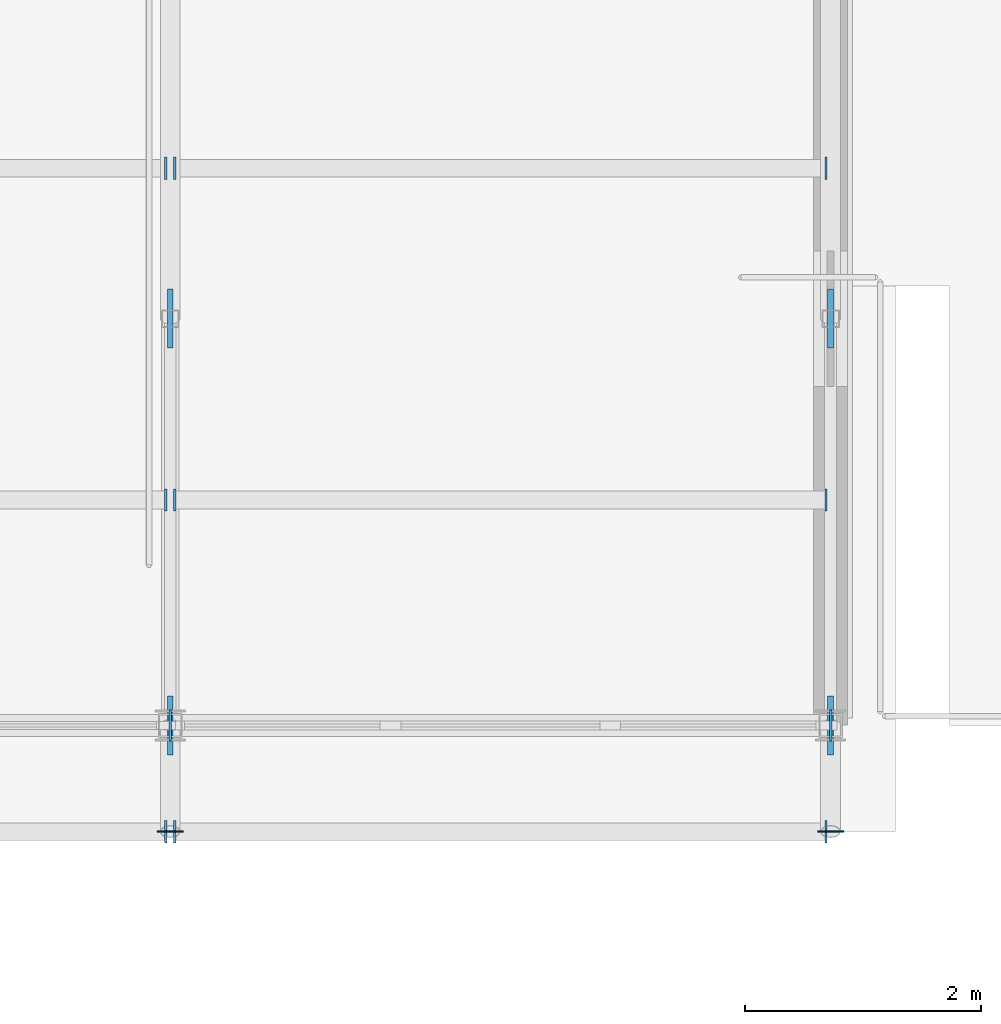
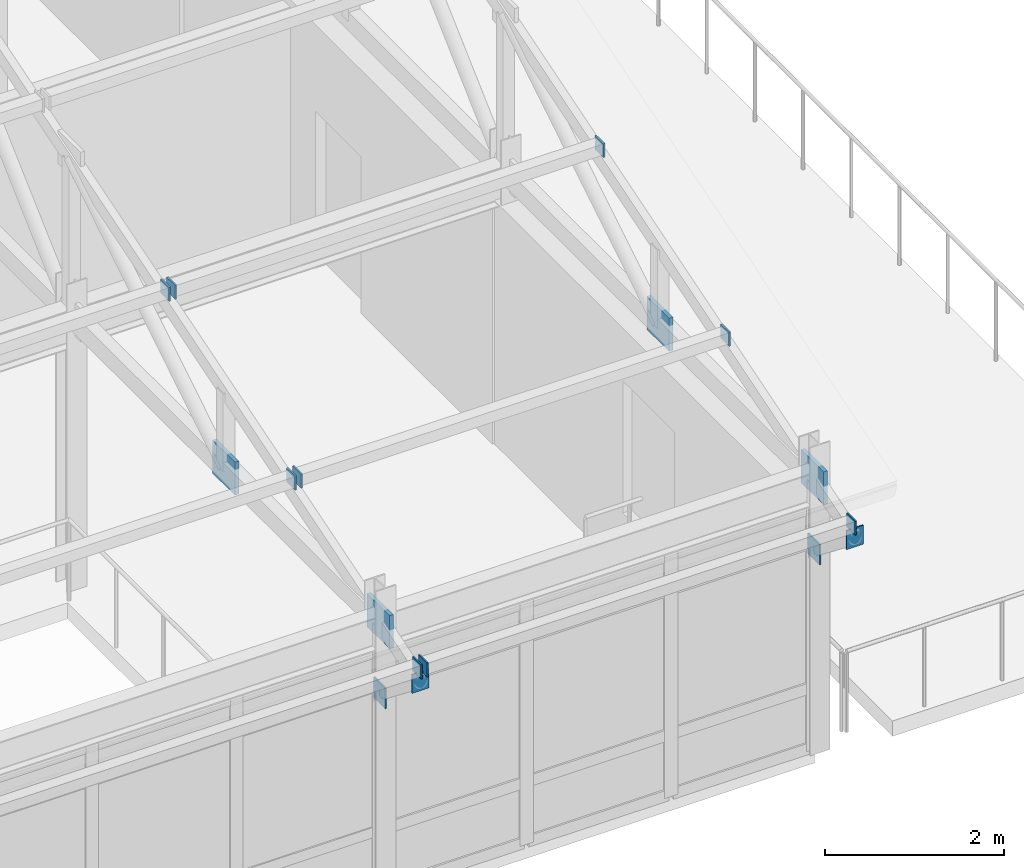
# One storey, part 119 of 144: 17 plates.
"""IFC4 building model written with IfcOpenShell, lengths in metres."""

from ifc_helpers import new_model, si_unit, direction, frame, origin, origin_2d, place, context, subcontext, project, spatial, rectangle, extrude, material, layer, layer_set, type_object, element, save


model = new_model("IFC4")

# Units and contexts
model_context = context("Model", 3, precision=1e-05, world=origin(), true_north=direction((0.0, 1.0)))
body_context = subcontext(model_context, "Body", "Model", "MODEL_VIEW")
ifc_project = project(units=[si_unit("LENGTHUNIT", "METRE"), si_unit("AREAUNIT", "SQUARE_METRE"), si_unit("VOLUMEUNIT", "CUBIC_METRE"), si_unit("PLANEANGLEUNIT", "RADIAN"), si_unit("MASSUNIT", "GRAM", prefix="KILO")], contexts=[model_context])

# Site, building, storey
site_placement = place(None, origin())
site = spatial("IfcSite", under=ifc_project, at=site_placement, CompositionType="ELEMENT")
building_placement = place(site_placement, origin())
building = spatial("IfcBuilding", under=site, at=building_placement, Name="Trelmorton Wharf Fire Station", CompositionType="ELEMENT")
storey_placement = place(building_placement, frame((0.0, 0.0, 5.39990234375)))
storey = spatial("IfcBuildingStorey", under=building, at=storey_placement, Name="L01", CompositionType="ELEMENT", Elevation=5.39990234375)

# Plates
ifc_material = material(Name="Steel Grade 350", Category="steel")
ifc_layer_1 = layer(ifc_material, 0.011962890625)
ifc_layer_set_1 = layer_set([ifc_layer_1], Name="Steel Grade 350")
plate_type_1 = type_object("IfcPlateType", Name="PL_ENDCAP_12", PredefinedType="SHEET", material=ifc_layer_set_1)
for number, where, z_axis, x_axis, name in (
    (1, (34.39990234375, 59.39990234375, 3.27587890625), (0.0, 0.0, 1.0), (1.0, 0.0, 0.0), "PL-EC-0073"),
    (2, (40.0, 59.39990234375, 3.27587890625), (0.0, 0.0, 1.0), (1.0, 0.0, 0.0), "PL-EC-0077"),
):
    element("IfcPlate", number, at=place(storey_placement, frame(where, z_axis=z_axis, x_axis=x_axis)), inside=storey, type_object=plate_type_1, Name=name, PredefinedType="SHEET", context=body_context, shape_type="SweptSolid", body=[
        extrude(rectangle(XDim=0.219970703125, YDim=0.011962890625, at=origin_2d()), origin(), (0.0, 0.0, 1.0), 0.260009765625),
    ])
for number, where, z_axis, x_axis, name in (
    (3, (34.361083984375, 59.39990234375, 3.50390625), (0.0, 0.0, 1.0), (1.0, 0.0, 0.0), "PL-PREC-B-0100"),
    (4, (34.361083984375, 62.21240234375, 4.37353515625), (0.0, 0.0, 1.0), (1.0, 0.0, 0.0), "PL-PREC-B-0102"),
    (5, (34.361083984375, 65.02490234375, 5.2431640625), (0.0, 0.0, 1.0), (1.0, 0.0, 0.0), "PL-PREC-B-0104"),
    (6, (34.43896484375, 59.39990234375, 3.50390625), (0.0, 0.0, 1.0), (1.0, 0.0, 0.0), "PL-PREC-A-0117"),
    (7, (39.9609375, 59.39990234375, 3.50390625), (0.0, 0.0, 1.0), (1.0, 0.0, 0.0), "PL-PREC-B-0118"),
    (8, (34.43896484375, 62.21240234375, 4.37353515625), (0.0, 0.0, 1.0), (1.0, 0.0, 0.0), "PL-PREC-A-0119"),
    (9, (39.9609375, 62.21240234375, 4.37353515625), (0.0, 0.0, 1.0), (1.0, 0.0, 0.0), "PL-PREC-B-0120"),
    (10, (34.43896484375, 65.02490234375, 5.2431640625), (0.0, 0.0, 1.0), (1.0, 0.0, 0.0), "PL-PREC-A-0121"),
    (11, (39.9609375, 65.02490234375, 5.2431640625), (0.0, 0.0, 1.0), (1.0, 0.0, 0.0), "PL-PREC-B-0122"),
):
    element("IfcPlate", number, at=place(storey_placement, frame(where, z_axis=z_axis, x_axis=x_axis)), inside=storey, type_object=plate_type_1, Name=name, PredefinedType="SHEET", context=body_context, shape_type="SweptSolid", body=[
        extrude(rectangle(XDim=0.02001953125, YDim=0.18994140625, at=origin_2d()), origin(), (0.0, 0.0, 1.0), 0.18994140625),
    ])
ifc_layer_2 = layer(ifc_material, 0.02001953125)
ifc_layer_set_2 = layer_set([ifc_layer_2], Name="Steel Grade 350")
plate_type_2 = type_object("IfcPlateType", Name="PL_ENDCAP_20", PredefinedType="SHEET", material=ifc_layer_set_2)
for number, where, z_axis, x_axis, name in (
    (12, (34.39990234375, 60.300048828125, 2.56005859375), (0.0, 0.0, 1.0), (1.0, 0.0, 0.0), "PL-EC-0074"),
    (13, (40.0, 60.300048828125, 2.56005859375), (0.0, 0.0, 1.0), (1.0, 0.0, 0.0), "PL-EC-0078"),
):
    element("IfcPlate", number, at=place(storey_placement, frame(where, z_axis=z_axis, x_axis=x_axis)), inside=storey, type_object=plate_type_2, Name=name, PredefinedType="SHEET", context=body_context, shape_type="SweptSolid", body=[
        extrude(rectangle(XDim=0.02001953125, YDim=0.260009765625, at=origin_2d()), origin(), (0.0, 0.0, 1.0), 0.280029296875),
    ])
ifc_layer_3 = layer(ifc_material, 0.050048828125)
ifc_layer_set_3 = layer_set([ifc_layer_3], Name="Steel Grade 350")
plate_type_3 = type_object("IfcPlateType", Name="PL_GUSSET_TN2", PredefinedType="USERDEFINED", material=ifc_layer_set_3)
for number, where, z_axis, x_axis, name in (
    (14, (34.39990234375, 60.300048828125, 3.458984375), (0.0, 0.0, 1.0), (1.0, 0.0, 0.0), "PL-TN-0311"),
    (15, (34.39990234375, 63.75, 3.458984375), (0.0, 0.0, 1.0), (1.0, 0.0, 0.0), "PL-TN-0314"),
    (16, (40.0, 60.300048828125, 3.458984375), (0.0, 0.0, 1.0), (1.0, 0.0, 0.0), "PL-TN-0320"),
    (17, (40.0, 63.75, 3.458984375), (0.0, 0.0, 1.0), (1.0, 0.0, 0.0), "PL-TN-0323"),
):
    element("IfcPlate", number, at=place(storey_placement, frame(where, z_axis=z_axis, x_axis=x_axis)), inside=storey, type_object=plate_type_3, Name=name, ObjectType="GUSSET PLATE", PredefinedType="USERDEFINED", context=body_context, shape_type="SweptSolid", body=[
        extrude(rectangle(XDim=0.050048828125, YDim=0.5, at=origin_2d()), origin(), (0.0, 0.0, 1.0), 0.449951171875),
    ])

save(model, "model.ifc")
